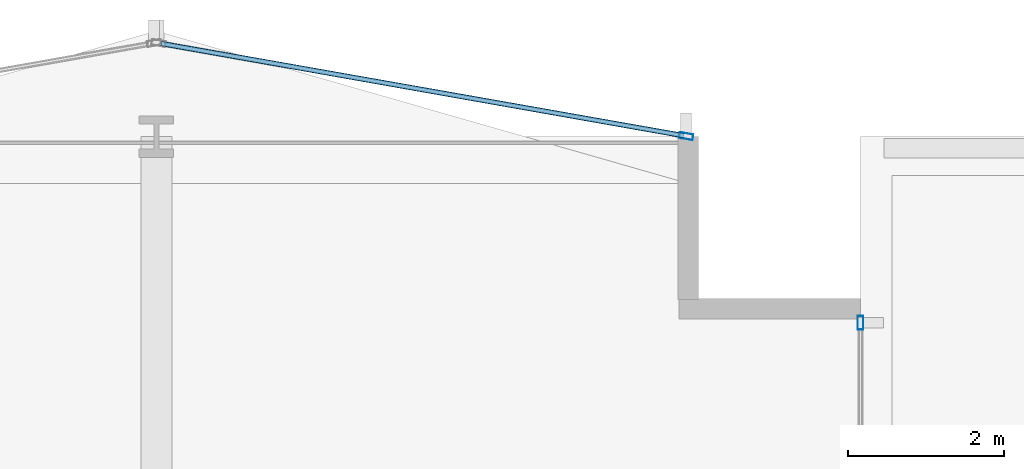
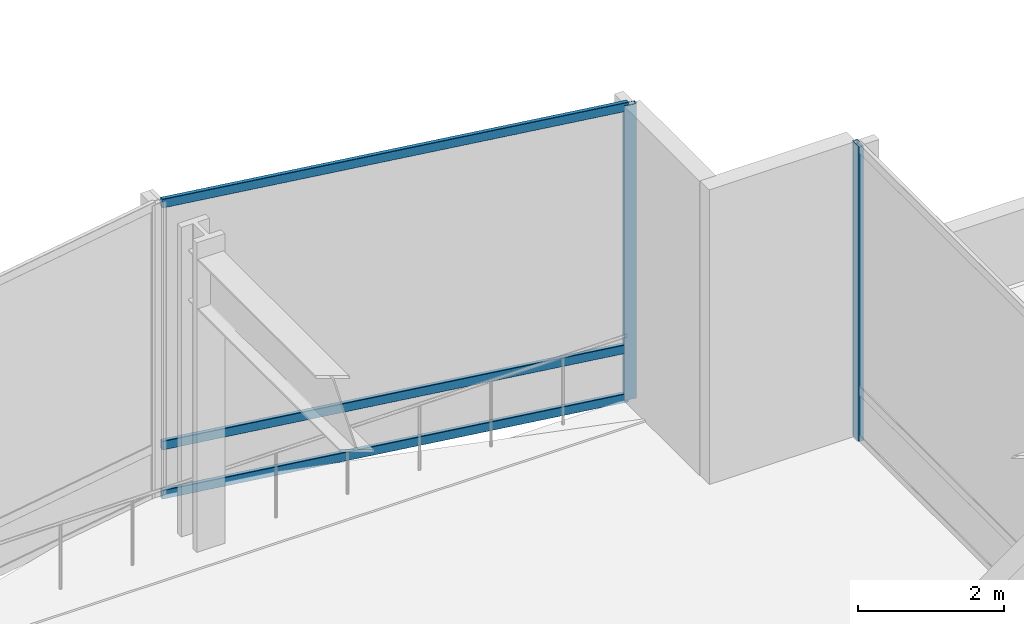
# One storey, part 22 of 37: 5 members, 2 elements without a shape of their own.
"""IFC4 building model written with IfcOpenShell, lengths in metres."""

from ifc_helpers import new_model, si_unit, direction, frame, origin, origin_2d, place, context, subcontext, project, spatial, hollow_rectangle, extrude, material, layer, layer_set, material_profile, profile_set, type_object, element, aggregate, save


model = new_model("IFC4")

# Units and contexts
model_context = context("Model", 3, precision=1e-05, world=origin(), true_north=direction((0.0, 1.0)))
body_context = subcontext(model_context, "Body", "Model", "MODEL_VIEW")
ifc_project = project(units=[si_unit("LENGTHUNIT", "METRE"), si_unit("AREAUNIT", "SQUARE_METRE"), si_unit("VOLUMEUNIT", "CUBIC_METRE"), si_unit("PLANEANGLEUNIT", "RADIAN"), si_unit("MASSUNIT", "GRAM", prefix="KILO")], contexts=[model_context])

# Site, building, storey
site_placement = place(None, origin())
site = spatial("IfcSite", under=ifc_project, at=site_placement, CompositionType="ELEMENT")
building_placement = place(site_placement, origin())
building = spatial("IfcBuilding", under=site, at=building_placement, Name="Solvaryn Broadcast Tower", CompositionType="ELEMENT")
storey_placement = place(building_placement, frame((0.0, 0.0, 30.800048828125)))
storey = spatial("IfcBuildingStorey", under=building, at=storey_placement, Name="L06", CompositionType="ELEMENT", Elevation=30.800048828125)

# Curtain wall, member
ifc_material_1 = material(Name="Aluminium and Terracotta Unitised Curtain Wall", Category="masonry")
ifc_layer = layer(ifc_material_1, 0.199951171875)
ifc_layer_set = layer_set([ifc_layer], Name="CW-SYS2-LOWMID")
curtain_wall_type = type_object("IfcCurtainWallType", Name="CW-SYS2-LOWMID", PredefinedType="NOTDEFINED", material=ifc_layer_set)
curtain_wall_1_placement = place(storey_placement, origin())
curtain_wall_1 = element("IfcCurtainWall", 1, at=curtain_wall_1_placement, inside=storey, type_object=curtain_wall_type, Name="L06 Curtain Wall IV", PredefinedType="NOTDEFINED")
ifc_material_2 = material(Name="Anodised Aluminium 6063-T6", Category="aluminium")
ifc_material_profile_1 = material_profile(ifc_material_2, hollow_rectangle(XDim=0.074951171875, YDim=0.179931640625, WallThickness=0.00390625, InnerFilletRadius=0.00390625, OuterFilletRadius=0.008056640625, at=origin_2d()))
ifc_profile_set_1 = profile_set([ifc_material_profile_1], Name="Anodised Aluminium 6063-T6")
member_type_1 = type_object("IfcMemberType", Name="CW-MUL-180", PredefinedType="MULLION", material=ifc_profile_set_1)
member_1_placement = place(storey_placement, frame((27.0, 51.6201171875, 0.0), z_axis=(0.0, 0.0, 1.0), x_axis=(1.0, 0.0, 0.0)))
member_1 = element("IfcMember", 2, at=member_1_placement, type_object=member_type_1, Name="CWS2 mullion 1", PredefinedType="MULLION", context=body_context, shape_type="SweptSolid", body=[
    extrude(hollow_rectangle(XDim=0.074951171875, YDim=0.179931640625, WallThickness=0.00390625, InnerFilletRadius=0.00390625, OuterFilletRadius=0.008056640625, at=origin_2d()), origin(), (0.0, 0.0, 1.0), 4.919921875),
])
aggregate(curtain_wall_1, [member_1])

# Curtain wall, members
curtain_wall_2_placement = place(storey_placement, origin())
curtain_wall_2 = element("IfcCurtainWall", 3, at=curtain_wall_2_placement, inside=storey, type_object=curtain_wall_type, Name="L06 Curtain Wall NT1", PredefinedType="NOTDEFINED")
member_2_placement = place(storey_placement, frame((24.7705078125, 54.005126953125, 0.0), z_axis=(0.0, 0.0, 1.0), x_axis=(-0.173785333901, -0.984783558819, 0.0)))
member_2 = element("IfcMember", 4, at=member_2_placement, type_object=member_type_1, Name="CWS2 mullion 1", PredefinedType="MULLION", context=body_context, shape_type="SweptSolid", body=[
    extrude(hollow_rectangle(XDim=0.074951171875, YDim=0.179931640625, WallThickness=0.00390625, InnerFilletRadius=0.00390625, OuterFilletRadius=0.008056640625, at=origin_2d()), origin(), (0.0, 0.0, 1.0), 4.919921875),
])
ifc_material_3 = material(Name="Anodised Aluminium 6063-T6", Category="aluminium")
ifc_material_profile_2 = material_profile(ifc_material_3, hollow_rectangle(XDim=0.06494140625, YDim=0.14990234375, WallThickness=0.00390625, InnerFilletRadius=0.00390625, OuterFilletRadius=0.008056640625, at=origin_2d()))
ifc_profile_set_2 = profile_set([ifc_material_profile_2], Name="Anodised Aluminium 6063-T6")
member_type_2 = type_object("IfcMemberType", Name="CW-TRN-150", PredefinedType="USERDEFINED", material=ifc_profile_set_2)
member_3_placement = place(storey_placement, frame((24.740966796875, 54.010498046875, 0.030029296875), z_axis=(-0.984788629673, 0.173756596613, 0.0), x_axis=(-0.173756596613, -0.984788629673, 0.0)))
member_3 = element("IfcMember", 5, at=member_3_placement, type_object=member_type_2, Name="CWS2 transom 1.1", ObjectType="TRANSOM", PredefinedType="USERDEFINED", context=body_context, shape_type="SweptSolid", body=[
    extrude(hollow_rectangle(XDim=0.06494140625, YDim=0.14990234375, WallThickness=0.00390625, InnerFilletRadius=0.00390625, OuterFilletRadius=0.008056640625, at=origin_2d()), origin(), (0.0, 0.0, 1.0), 6.78515625),
])
member_4_placement = place(storey_placement, frame((24.740966796875, 54.010498046875, 0.849853515625), z_axis=(-0.984788629673, 0.173756596613, 0.0), x_axis=(-0.173756596613, -0.984788629673, 0.0)))
member_4 = element("IfcMember", 6, at=member_4_placement, type_object=member_type_2, Name="CWS2 transom 1.2", ObjectType="TRANSOM", PredefinedType="USERDEFINED", context=body_context, shape_type="SweptSolid", body=[
    extrude(hollow_rectangle(XDim=0.06494140625, YDim=0.14990234375, WallThickness=0.00390625, InnerFilletRadius=0.00390625, OuterFilletRadius=0.008056640625, at=origin_2d()), origin(), (0.0, 0.0, 1.0), 6.78515625),
])
member_5_placement = place(storey_placement, frame((24.740966796875, 54.010498046875, 4.889892578125), z_axis=(-0.984788629673, 0.173756596613, 0.0), x_axis=(-0.173756596613, -0.984788629673, 0.0)))
member_5 = element("IfcMember", 7, at=member_5_placement, type_object=member_type_2, Name="CWS2 transom 1.3", ObjectType="TRANSOM", PredefinedType="USERDEFINED", context=body_context, shape_type="SweptSolid", body=[
    extrude(hollow_rectangle(XDim=0.06494140625, YDim=0.14990234375, WallThickness=0.00390625, InnerFilletRadius=0.00390625, OuterFilletRadius=0.008056640625, at=origin_2d()), origin(), (0.0, 0.0, 1.0), 6.78515625),
])
aggregate(curtain_wall_2, [member_2, member_3, member_4, member_5])

save(model, "model.ifc")
